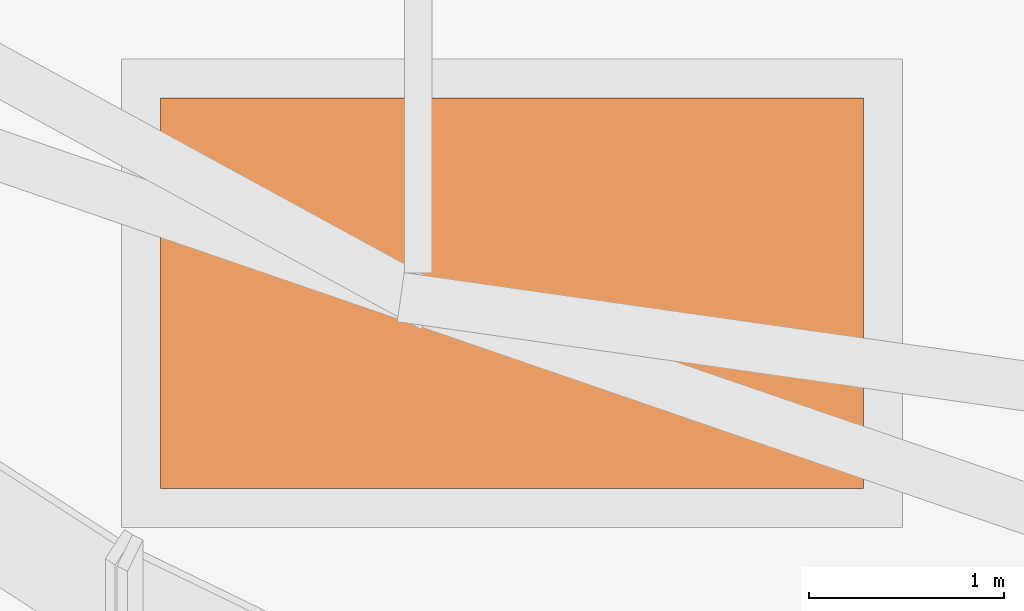
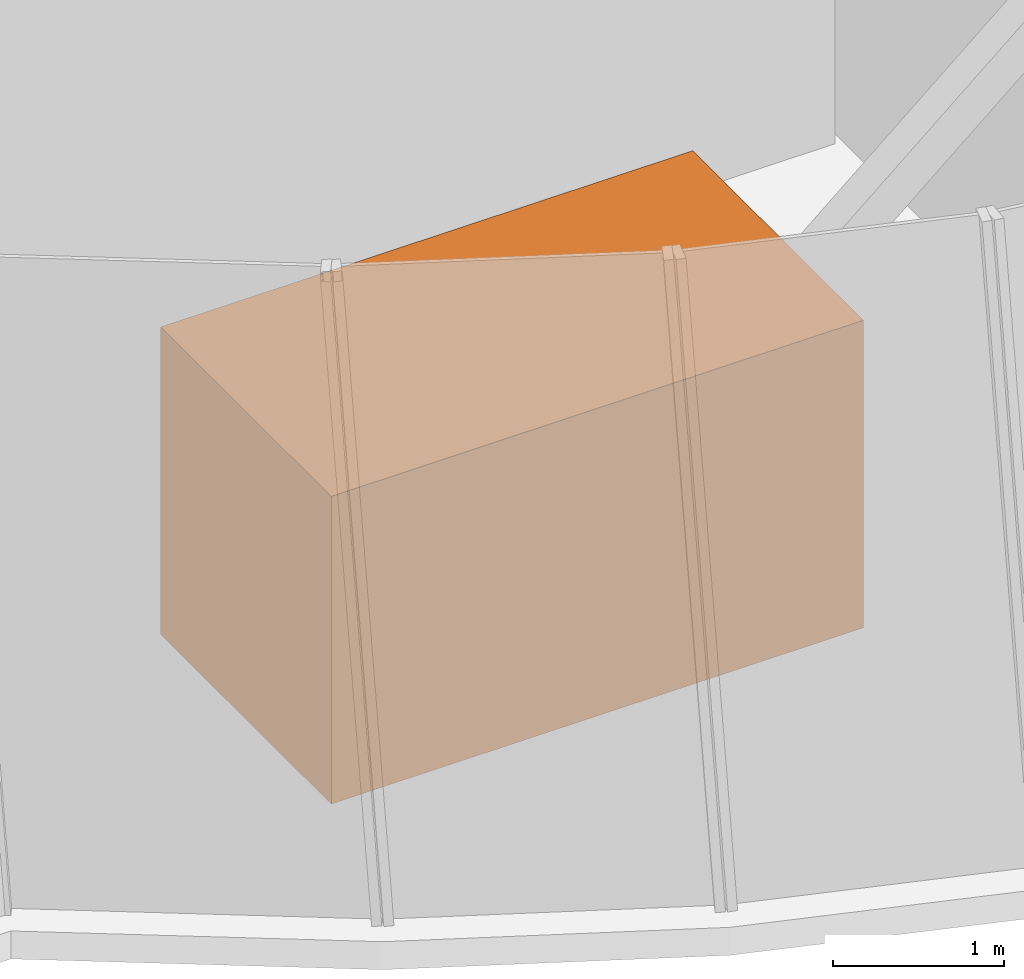
# One storey, part 6 of 6: 1 proxy.
"""IFC4 building model written with IfcOpenShell, lengths in metres."""

from ifc_helpers import new_model, si_unit, direction, frame, origin, origin_2d, place, context, subcontext, project, spatial, rectangle, extrude, element, save


model = new_model("IFC4")

# Units and contexts
model_context = context("Model", 3, precision=1e-05, world=origin(), true_north=direction((0.0, 1.0)))
body_context = subcontext(model_context, "Body", "Model", "MODEL_VIEW")
ifc_project = project(units=[si_unit("LENGTHUNIT", "METRE"), si_unit("AREAUNIT", "SQUARE_METRE"), si_unit("VOLUMEUNIT", "CUBIC_METRE"), si_unit("PLANEANGLEUNIT", "RADIAN"), si_unit("MASSUNIT", "GRAM", prefix="KILO")], contexts=[model_context])

# Site, building, storey
site_placement = place(None, origin())
site = spatial("IfcSite", under=ifc_project, at=site_placement, CompositionType="ELEMENT")
building_placement = place(site_placement, origin())
building = spatial("IfcBuilding", under=site, at=building_placement, Name="Bicima Exchange Tower", CompositionType="ELEMENT")
storey_placement = place(building_placement, frame((0.0, 0.0, 370.39990234375)))
storey = spatial("IfcBuildingStorey", under=building, at=storey_placement, Name="L83", CompositionType="ELEMENT", Elevation=370.39990234375)

# Proxy
proxy_placement = place(storey_placement, frame((-12.570068359375, -19.113037109375, 0.2001953125), z_axis=(0.0, 0.0, 1.0), x_axis=(1.0, 0.0, 0.0)))
element("IfcBuildingElementProxy", 1, at=proxy_placement, inside=storey, Name="Water treatment skid L83", ObjectType="Water treatment skid", PredefinedType="USERDEFINED", context=body_context, shape_type="SweptSolid", body=[
    extrude(rectangle(XDim=3.60009765625, YDim=2.0, at=origin_2d()), origin(), (0.0, 0.0, 1.0), 2.199951171875),
])

save(model, "model.ifc")
